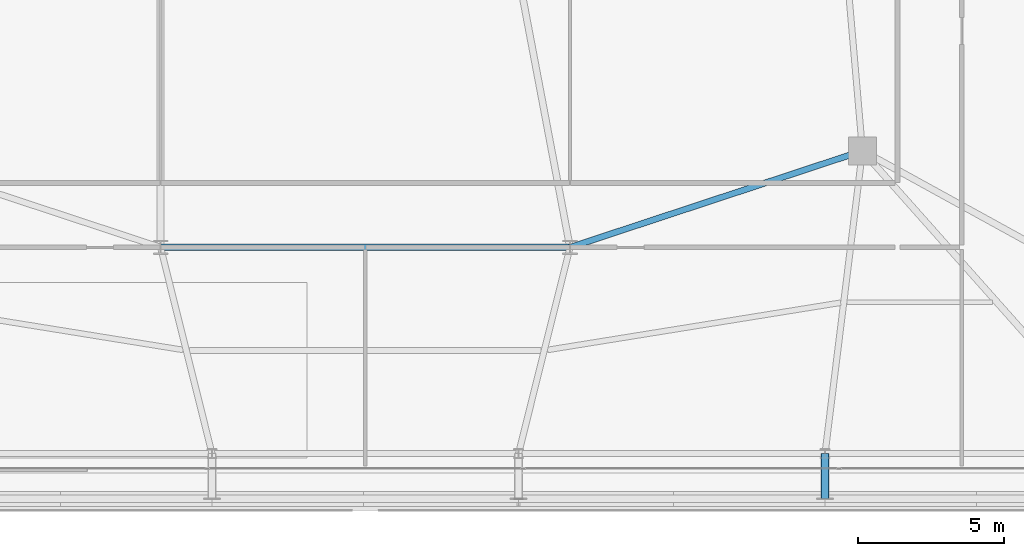
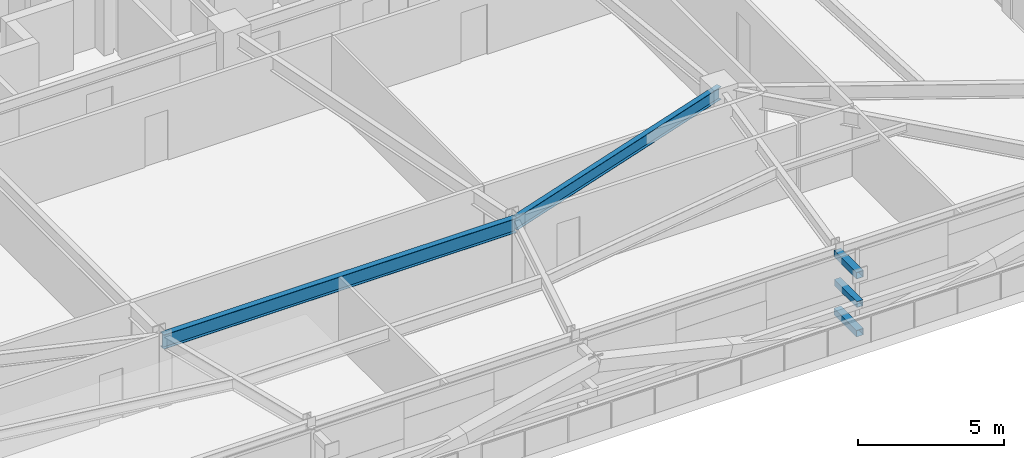
# One storey, part 20 of 56: 3 members, 2 beams.
"""IFC4 building model written with IfcOpenShell, lengths in metres."""

import ifcopenshell
import ifcopenshell.guid

model = None  # the IFC model being written
_history = None  # IfcOwnerHistory: only IFC2X3 demands one
_inside = {}  # id of a spatial element -> (the spatial element, [elements in it])
_under = {}  # id of a project, library or spatial element -> (it, [spatial elements below it])
_declared = {}  # id of a project -> (the project, [libraries it declares])
_typed = {}  # id of a type object -> (the type object, [elements of that type])
_made_of = {}  # id of a material, layer set ... -> (it, [elements and type objects made of it])


def new_model(schema):
    """Start an empty IFC model of exactly this schema.

    Asked for "IFC4X3", IfcOpenShell would pick the latest addendum, in which some entities
    have other attributes; the version numbers below select the first issue.
    IFC2X3 requires an IfcOwnerHistory on every rooted entity: one is made here for all.
    """
    global model, _history
    if schema == "IFC4X3":
        model = ifcopenshell.file(schema_version=(4, 3, 0, 0))
    else:
        model = ifcopenshell.file(schema=schema)
    _inside.clear()
    _under.clear()
    _declared.clear()
    _typed.clear()
    _made_of.clear()
    _history = None
    if model.schema == "IFC2X3":
        org = make("IfcOrganization", Name="unknown")
        user = make(
            "IfcPersonAndOrganization",
            ThePerson=make("IfcPerson", FamilyName="unknown"),
            TheOrganization=org,
        )
        app = make(
            "IfcApplication",
            ApplicationDeveloper=org,
            Version="unknown",
            ApplicationFullName="unknown",
            ApplicationIdentifier="unknown",
        )
        _history = make(
            "IfcOwnerHistory",
            OwningUser=user,
            OwningApplication=app,
            ChangeAction="ADDED",
            CreationDate=0,
        )
    return model


def make(cls, **values):
    """One entity of the class cls with the attributes given. An attribute that is None is left unset."""
    return model.create_entity(
        cls, **{name: value for name, value in values.items() if value is not None}
    )


def rooted(cls, **values):
    """An entity with a GlobalId (a new one), such as an element, a storey or a relation."""
    return make(cls, GlobalId=ifcopenshell.guid.new(), OwnerHistory=_history, **values)


def si_unit(unit_type, name, prefix=None):
    """IfcSIUnit, for example si_unit("LENGTHUNIT", "METRE", prefix="MILLI")."""
    return make("IfcSIUnit", UnitType=unit_type, Prefix=prefix, Name=name)


def assignment(units):
    """IfcUnitAssignment: the units of a project."""
    return None if units is None else make("IfcUnitAssignment", Units=units)


def point(xyz):
    """IfcCartesianPoint."""
    return None if xyz is None else make("IfcCartesianPoint", Coordinates=xyz)


def direction(xyz):
    """IfcDirection."""
    return None if xyz is None else make("IfcDirection", DirectionRatios=xyz)


def frame(location, z_axis=None, x_axis=None):
    """IfcAxis2Placement3D, a coordinate frame: its origin and axes. An axis left out is left unset."""
    return make(
        "IfcAxis2Placement3D",
        Location=point(location),
        Axis=direction(z_axis),
        RefDirection=direction(x_axis),
    )


def frame_2d(location, x_axis=None):
    """IfcAxis2Placement2D, a coordinate frame in the plane: its origin and x axis."""
    return make(
        "IfcAxis2Placement2D", Location=point(location), RefDirection=direction(x_axis)
    )


def origin():
    """The frame at (0, 0, 0) with its axes left unset."""
    return frame((0.0, 0.0, 0.0))


def origin_2d():
    """The frame at (0, 0) in the plane with its x axis left unset."""
    return frame_2d((0.0, 0.0))


def place(relative_to, where):
    """IfcLocalPlacement: puts the frame where relative to a parent placement (None: the world)."""
    return make(
        "IfcLocalPlacement", PlacementRelTo=relative_to, RelativePlacement=where
    )


def context(
    kind, dimensions, precision=None, world=None, true_north=None, identifier=None
):
    """IfcGeometricRepresentationContext, for example the 3D "Model" context."""
    return make(
        "IfcGeometricRepresentationContext",
        ContextIdentifier=identifier,
        ContextType=kind,
        CoordinateSpaceDimension=dimensions,
        Precision=precision,
        WorldCoordinateSystem=world,
        TrueNorth=true_north,
    )


def subcontext(parent, identifier, kind, view, scale=None):
    """IfcGeometricRepresentationSubContext, for example "Body" below "Model"."""
    return make(
        "IfcGeometricRepresentationSubContext",
        ContextIdentifier=identifier,
        ContextType=kind,
        ParentContext=parent,
        TargetScale=scale,
        TargetView=view,
    )


def project(units=None, contexts=None):
    """IfcProject with its units and contexts."""
    return rooted(
        "IfcProject",
        Name="project",
        RepresentationContexts=contexts,
        UnitsInContext=assignment(units),
    )


def spatial(cls, under=None, at=None, **own):
    """A site, building, storey or space (cls), placed at a placement, below another one or the project."""
    s = rooted(cls, ObjectPlacement=at, **own)
    if under is not None:
        _under.setdefault(under.id(), (under, []))[1].append(s)
    return s


def profile(cls, at=None, kind="AREA", **sizes):
    """A parametric profile (cls). Its sizes go by their IFC names, for example OverallWidth=200.0."""
    return make(cls, ProfileType=kind, Position=at, **sizes)


def hollow_rectangle(**sizes):
    """IfcRectangleHollowProfileDef."""
    return profile("IfcRectangleHollowProfileDef", **sizes)


def i_section(**sizes):
    """IfcIShapeProfileDef."""
    return profile("IfcIShapeProfileDef", **sizes)


def extrude(swept, where, along, depth):
    """IfcExtrudedAreaSolid: the profile swept, set in the frame where, extruded along a direction by depth."""
    return make(
        "IfcExtrudedAreaSolid",
        SweptArea=swept,
        Position=where,
        ExtrudedDirection=direction(along),
        Depth=depth,
    )


def shape(context_of_items, identifier, shape_type, items):
    """IfcShapeRepresentation: the items that make up one representation, for example the "Body"."""
    return make(
        "IfcShapeRepresentation",
        ContextOfItems=context_of_items,
        RepresentationIdentifier=identifier,
        RepresentationType=shape_type,
        Items=items,
    )


def source(mapping_origin, context_of_items, identifier, shape_type, items):
    """IfcRepresentationMap: a shape defined once, which mapped items show again and again."""
    return make(
        "IfcRepresentationMap",
        MappingOrigin=mapping_origin,
        MappedRepresentation=shape(context_of_items, identifier, shape_type, items),
    )


def transform(
    local_origin,
    x_axis=None,
    y_axis=None,
    z_axis=None,
    scale=None,
    scale2=None,
    scale3=None,
    uniform=True,
):
    """IfcCartesianTransformationOperator3D, or its non-uniform kind. x_axis, y_axis, z_axis: its Axis1, 2, 3."""
    if uniform:
        return make(
            "IfcCartesianTransformationOperator3D",
            Axis1=direction(x_axis),
            Axis2=direction(y_axis),
            LocalOrigin=point(local_origin),
            Scale=scale,
            Axis3=direction(z_axis),
        )
    return make(
        "IfcCartesianTransformationOperator3DnonUniform",
        Axis1=direction(x_axis),
        Axis2=direction(y_axis),
        LocalOrigin=point(local_origin),
        Scale=scale,
        Axis3=direction(z_axis),
        Scale2=scale2,
        Scale3=scale3,
    )


def mapped(mapping_source, mapping_target):
    """IfcMappedItem: shows the shape of a source again, moved by a transform."""
    return make(
        "IfcMappedItem", MappingSource=mapping_source, MappingTarget=mapping_target
    )


def material(Name=None, Category=None):
    """IfcMaterial."""
    return make("IfcMaterial", Name=Name, Category=Category)


def material_profile(
    of_material, cross_section, Name=None, Category=None, Priority=None
):
    """IfcMaterialProfile: a cross section and its material."""
    return make(
        "IfcMaterialProfile",
        Name=Name,
        Material=of_material,
        Profile=cross_section,
        Priority=Priority,
        Category=Category,
    )


def profile_set(profiles, Name=None, composite=None):
    """IfcMaterialProfileSet."""
    return make(
        "IfcMaterialProfileSet",
        Name=Name,
        MaterialProfiles=profiles,
        CompositeProfile=composite,
    )


def made_of(thing, what):
    """Note that an element or type object is made of a material, layer set ...; save() writes the relation."""
    if what is not None:
        _made_of.setdefault(what.id(), (what, []))[1].append(thing)
    return thing


def type_object(cls, material=None, **own):
    """A type object (cls), such as IfcWallType, which elements share."""
    return made_of(rooted(cls, **own), material)


def element(
    cls,
    number,
    at=None,
    inside=None,
    cuts=None,
    type_object=None,
    material=None,
    context=None,
    identifier="Body",
    shape_type=None,
    held_by="IfcProductDefinitionShape",
    body=None,
    shapes=None,
    **own,
):
    """One element of the class cls, such as IfcWall. Its Tag is "e" and its number.

    at: its placement. inside: the storey or other place that contains it. cuts: it is an
    opening in that element (IfcRelVoidsElement). A single representation is given by context,
    identifier, shape_type and body (its items); several are given by shapes. held_by: the class
    of the entity that holds the representations. save() writes the other relations.
    """
    e = rooted(cls, Tag="e%d" % number, ObjectPlacement=at, **own)
    if body is not None:
        shapes = [shape(context, identifier, shape_type, body)]
    if shapes is not None:
        e.Representation = make(held_by, Representations=shapes)
    if inside is not None:
        _inside.setdefault(inside.id(), (inside, []))[1].append(e)
    if cuts is not None:
        rooted(
            "IfcRelVoidsElement", RelatingBuildingElement=cuts, RelatedOpeningElement=e
        )
    if type_object is not None:
        _typed.setdefault(type_object.id(), (type_object, []))[1].append(e)
    return made_of(e, material)


def aggregate(whole, parts):
    """IfcRelAggregates: a whole, such as a stair, and the parts it consists of."""
    return rooted("IfcRelAggregates", RelatingObject=whole, RelatedObjects=parts)


def save(model, path):
    """Write the relations noted so far, then the file.

    IfcRelAggregates (storeys below a building ...), IfcRelContainedInSpatialStructure (elements
    in a storey), IfcRelDefinesByType, IfcRelAssociatesMaterial and IfcRelDeclares: one each for
    every whole, place, type object, material and project.
    """
    for whole, parts in _under.values():
        aggregate(whole, parts)
    for where, things in _inside.values():
        rooted(
            "IfcRelContainedInSpatialStructure",
            RelatedElements=things,
            RelatingStructure=where,
        )
    for kind, things in _typed.values():
        rooted("IfcRelDefinesByType", RelatedObjects=things, RelatingType=kind)
    for what, things in _made_of.values():
        rooted("IfcRelAssociatesMaterial", RelatedObjects=things, RelatingMaterial=what)
    for by, libraries in _declared.values():
        rooted("IfcRelDeclares", RelatingContext=by, RelatedDefinitions=libraries)
    model.write(path)


model = new_model("IFC4")

# Units and contexts
model_context = context("Model", 3, precision=1e-05, world=origin(), true_north=direction((0.0, 1.0)))
body_context = subcontext(model_context, "Body", "Model", "MODEL_VIEW")
ifc_project = project(units=[si_unit("LENGTHUNIT", "METRE"), si_unit("AREAUNIT", "SQUARE_METRE"), si_unit("VOLUMEUNIT", "CUBIC_METRE"), si_unit("PLANEANGLEUNIT", "RADIAN"), si_unit("MASSUNIT", "GRAM", prefix="KILO")], contexts=[model_context])

# Site, building, storey
site_placement = place(None, origin())
site = spatial("IfcSite", under=ifc_project, at=site_placement, CompositionType="ELEMENT")
building_placement = place(site_placement, origin())
building = spatial("IfcBuilding", under=site, at=building_placement, Name="Taldren Reach Tower", CompositionType="ELEMENT")
storey_placement = place(building_placement, frame((0.0, 0.0, 16.800048828125)))
storey = spatial("IfcBuildingStorey", under=building, at=storey_placement, Name="L04", CompositionType="ELEMENT", Elevation=16.800048828125)

# Beams
ifc_material_1 = material(Name="Steel Gr 350 (350PLUS)", Category="steel")
ifc_material_profile_1 = material_profile(ifc_material_1, i_section(OverallWidth=0.208984375, OverallDepth=0.532958984375, WebThickness=0.01025390625, FlangeThickness=0.015625, at=origin_2d()), Name="530UB92.4")
ifc_profile_set_1 = profile_set([ifc_material_profile_1], Name="Steel Gr 350 (350PLUS)")
beam_type_1 = type_object("IfcBeamType", Name="BM-UB530A", PredefinedType="BEAM", material=ifc_profile_set_1)
shared_shape_1 = source(origin(), body_context, "Body", "SweptSolid", [
    extrude(i_section(OverallWidth=0.208984375, OverallDepth=0.532958984375, WebThickness=0.01025390625, FlangeThickness=0.015625, at=origin_2d()), origin(), (0.0, 0.0, 1.0), 10.530517578125),
])
beam_1_placement = place(storey_placement, frame((42.0, 9.199951171875, 2.663330078125), z_axis=(0.949627269203, 0.313381635689, 0.0), x_axis=(-0.313381635689, 0.949627269203, 0.0)))
element("IfcBeam", 1, at=beam_1_placement, inside=storey, type_object=beam_type_1, Name="Core-spine girder L04-SP12", PredefinedType="BEAM", context=body_context, shape_type="MappedRepresentation", body=[
    mapped(shared_shape_1, transform((0.0, 0.0, 0.0), scale=1.0)),
])
ifc_material_profile_2 = material_profile(ifc_material_1, i_section(OverallWidth=0.22802734375, OverallDepth=0.60205078125, WebThickness=0.010498046875, FlangeThickness=0.014892578125, at=origin_2d()), Name="610UB101")
ifc_profile_set_2 = profile_set([ifc_material_profile_2], Name="Steel Gr 350 (350PLUS)")
beam_type_2 = type_object("IfcBeamType", Name="BM-UB610B", PredefinedType="BEAM", material=ifc_profile_set_2)
shared_shape_2 = source(origin(), body_context, "Body", "SweptSolid", [
    extrude(i_section(OverallWidth=0.22802734375, OverallDepth=0.60205078125, WebThickness=0.010498046875, FlangeThickness=0.014892578125, at=origin_2d()), origin(), (0.0, 0.0, 1.0), 14.0),
])
beam_2_placement = place(storey_placement, frame((28.0, 9.199951171875, 2.62890625), z_axis=(1.0, 0.0, 0.0), x_axis=(0.0, 1.0, 0.0)))
element("IfcBeam", 2, at=beam_2_placement, inside=storey, type_object=beam_type_2, Name="Core-spine girder L04-SP11", PredefinedType="BEAM", context=body_context, shape_type="MappedRepresentation", body=[
    mapped(shared_shape_2, transform((0.0, 0.0, 0.0), scale=1.0)),
])

# Members
ifc_material_2 = material(Name="Steel Gr 450 (C450L0)", Category="steel")
ifc_material_profile_3 = material_profile(ifc_material_2, hollow_rectangle(XDim=0.27490234375, YDim=0.27490234375, WallThickness=0.00927734375, at=origin_2d()), Name="275x275x9.3SHS")
ifc_profile_set_3 = profile_set([ifc_material_profile_3], Name="Steel Gr 450 (C450L0)")
member_type_1 = type_object("IfcMemberType", Name="MB-TIE273", PredefinedType="STRUT", material=ifc_profile_set_3)
shared_shape_3 = source(origin(), body_context, "Body", "SweptSolid", [
    extrude(hollow_rectangle(XDim=0.27490234375, YDim=0.27490234375, WallThickness=0.00927734375, at=origin_2d()), origin(), (0.0, 0.0, 1.0), 1.5498046875),
])
for number, where, z_axis, x_axis, name in (
    (3, (50.719970703125, 2.14990234375, 2.64990234375), (0.0, -1.0, 0.0), (1.0, 0.0, 0.0), "Exoskeleton diaphragm tie strut B1-S5 L04"),
    (4, (50.719970703125, 2.14990234375, 0.219970703125), (0.0, -1.0, 0.0), (1.0, 0.0, 0.0), "Exoskeleton base diaphragm tie strut B1-S5 L04"),
):
    element("IfcMember", number, at=place(storey_placement, frame(where, z_axis=z_axis, x_axis=x_axis)), inside=storey, type_object=member_type_1, Name=name, PredefinedType="STRUT", context=body_context, shape_type="MappedRepresentation", body=[
        mapped(shared_shape_3, transform((0.0, 0.0, 0.0), scale=1.0)),
    ])
ifc_material_3 = material(Name="Steel Gr 350 (C350L0)", Category="steel")
ifc_material_profile_4 = material_profile(ifc_material_3, hollow_rectangle(XDim=0.25, YDim=0.25, WallThickness=0.010009765625, at=origin_2d()), Name="250x250x10.0SHS")
ifc_profile_set_4 = profile_set([ifc_material_profile_4], Name="Steel Gr 350 (C350L0)")
member_type_2 = type_object("IfcMemberType", Name="MB-POST250", PredefinedType="POST", material=ifc_profile_set_4)
shared_shape_4 = source(origin(), body_context, "Body", "SweptSolid", [
    extrude(hollow_rectangle(XDim=0.25, YDim=0.25, WallThickness=0.010009765625, at=origin_2d()), origin(), (0.0, 0.0, 1.0), 1.5498046875),
])
member_placement = place(storey_placement, frame((50.719970703125, 2.14990234375, 1.43505859375), z_axis=(0.0, -1.0, 0.0), x_axis=(1.0, 0.0, 0.0)))
element("IfcMember", 5, at=member_placement, inside=storey, type_object=member_type_2, Name="Exoskeleton mid-tier diaphragm tie B1-S5 L04", PredefinedType="POST", context=body_context, shape_type="MappedRepresentation", body=[
    mapped(shared_shape_4, transform((0.0, 0.0, 0.0), scale=1.0)),
])

save(model, "model.ifc")
